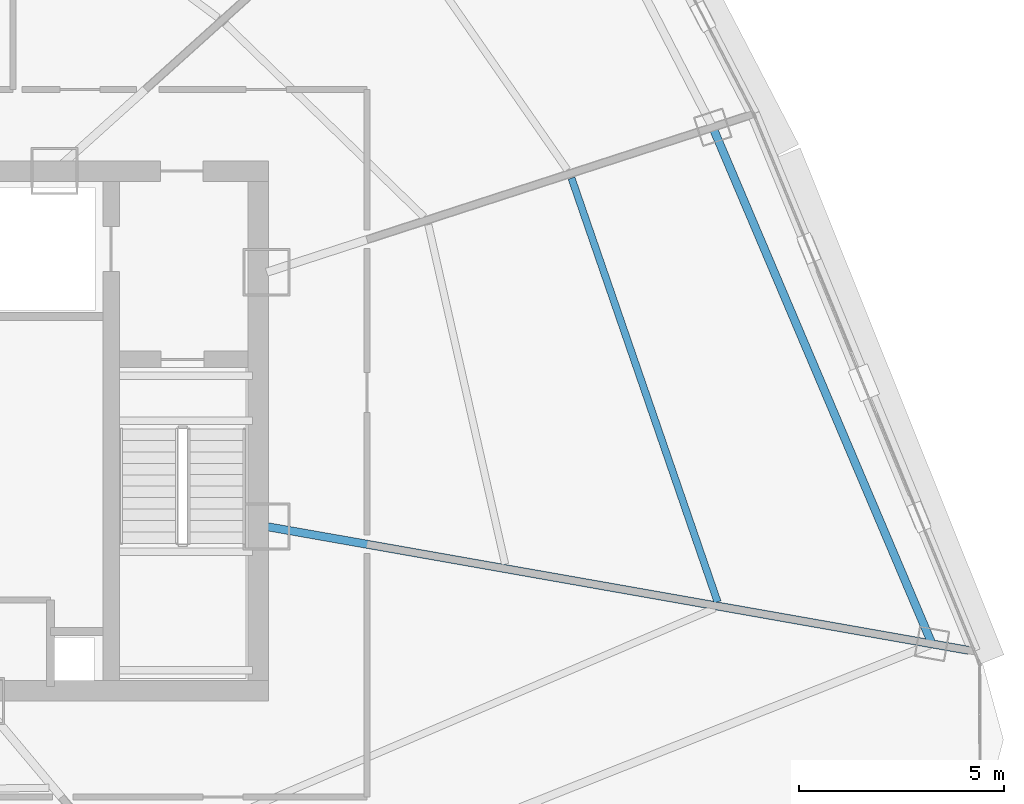
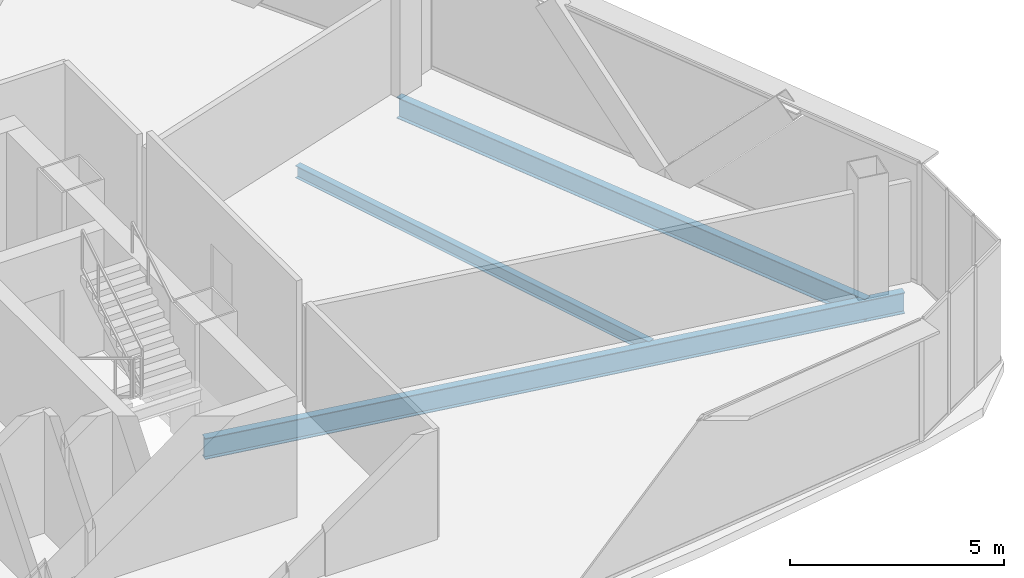
# One storey, part 15 of 33: 3 beams.
"""IFC4 building model written with IfcOpenShell, lengths in metres."""

from ifc_helpers import new_model, si_unit, direction, frame, origin, origin_2d, place, context, subcontext, project, spatial, i_section, extrude, source, transform, mapped, material, material_profile, profile_set, type_object, element, save


model = new_model("IFC4")

# Units and contexts
model_context = context("Model", 3, precision=1e-05, world=origin(), true_north=direction((0.0, 1.0)))
body_context = subcontext(model_context, "Body", "Model", "MODEL_VIEW")
ifc_project = project(units=[si_unit("LENGTHUNIT", "METRE"), si_unit("AREAUNIT", "SQUARE_METRE"), si_unit("VOLUMEUNIT", "CUBIC_METRE"), si_unit("PLANEANGLEUNIT", "RADIAN"), si_unit("MASSUNIT", "GRAM", prefix="KILO"), si_unit("THERMODYNAMICTEMPERATUREUNIT", "KELVIN"), si_unit("POWERUNIT", "WATT")], contexts=[model_context])

# Site, building, storey
site_placement = place(None, origin())
site = spatial("IfcSite", under=ifc_project, at=site_placement, CompositionType="ELEMENT")
building_placement = place(site_placement, origin())
building = spatial("IfcBuilding", under=site, at=building_placement, Name="Yunzhuo Pagoda Commons", CompositionType="ELEMENT")
storey_placement = place(building_placement, frame((0.0, 0.0, 311.1298828125)))
storey = spatial("IfcBuildingStorey", under=building, at=storey_placement, Name="L78", CompositionType="ELEMENT", Elevation=311.1298828125)

# Beams
ifc_material = material(Name="Structural steel Q355B", Category="steel")
ifc_material_profile_1 = material_profile(ifc_material, i_section(OverallWidth=0.199951171875, OverallDepth=0.60009765625, WebThickness=0.010986328125, FlangeThickness=0.01708984375, at=origin_2d()), Name="Structural steel Q355B")
ifc_profile_set_1 = profile_set([ifc_material_profile_1], Name="Structural steel Q355B")
beam_type_1 = type_object("IfcBeamType", Name="B-RG3 Beam HN 600x200x11x17", PredefinedType="BEAM", material=ifc_profile_set_1)
shared_shape_1 = source(origin(), body_context, "Body", "SweptSolid", [
    extrude(i_section(OverallWidth=0.199951171875, OverallDepth=0.60009765625, WebThickness=0.010986328125, FlangeThickness=0.01708984375, at=origin_2d()), origin(), (0.0, 0.0, 1.0), 13.715576171875),
])
beam_1_placement = place(storey_placement, frame((76.66162109375, 28.646240234375, -0.559814453125), z_axis=(-0.390733146992, 0.920503996646, 0.0), x_axis=(-0.920503996646, -0.390733146992, 0.0)))
element("IfcBeam", 1, at=beam_1_placement, inside=storey, type_object=beam_type_1, Name="L78 column-ring beam 5", PredefinedType="BEAM", context=body_context, shape_type="MappedRepresentation", body=[
    mapped(shared_shape_1, transform((0.0, 0.0, 0.0), scale=1.0)),
])
ifc_material_profile_2 = material_profile(ifc_material, i_section(OverallWidth=0.175048828125, OverallDepth=0.35009765625, WebThickness=0.007080078125, FlangeThickness=0.010986328125, at=origin_2d()), Name="Structural steel Q355B")
ifc_profile_set_2 = profile_set([ifc_material_profile_2], Name="Structural steel Q355B")
beam_type_2 = type_object("IfcBeamType", Name="B-JS2 Joist HN 350x175x7x11", PredefinedType="JOIST", material=ifc_profile_set_2)
shared_shape_2 = source(origin(), body_context, "Body", "SweptSolid", [
    extrude(i_section(OverallWidth=0.175048828125, OverallDepth=0.35009765625, WebThickness=0.007080078125, FlangeThickness=0.010986328125, at=origin_2d()), origin(), (0.0, 0.0, 1.0), 10.954345703125),
])
beam_2_placement = place(storey_placement, frame((71.42041015625, 29.672607421875, -0.434814453125), z_axis=(-0.325839571137, 0.945425075763, 0.0), x_axis=(-0.945425075763, -0.325839571137, 0.0)))
element("IfcBeam", 2, at=beam_2_placement, inside=storey, type_object=beam_type_2, Name="L78 composite ring joist 2.5", PredefinedType="JOIST", context=body_context, shape_type="MappedRepresentation", body=[
    mapped(shared_shape_2, transform((0.0, 0.0, 0.0), scale=1.0)),
])
shared_shape_3 = source(origin(), body_context, "Body", "SweptSolid", [
    extrude(i_section(OverallWidth=0.199951171875, OverallDepth=0.60009765625, WebThickness=0.010986328125, FlangeThickness=0.01708984375, at=origin_2d()), origin(), (0.0, 0.0, 1.0), 17.40771484375),
])
beam_3_placement = place(storey_placement, frame((77.543212890625, 28.49072265625, -0.559814453125), z_axis=(-0.984808962394, 0.17364131878, 0.0), x_axis=(-0.17364131878, -0.984808962394, 0.0)))
element("IfcBeam", 3, at=beam_3_placement, inside=storey, type_object=beam_type_1, Name="L78 radial floor girder F2C1", PredefinedType="BEAM", context=body_context, shape_type="MappedRepresentation", body=[
    mapped(shared_shape_3, transform((0.0, 0.0, 0.0), scale=1.0)),
])

save(model, "model.ifc")
